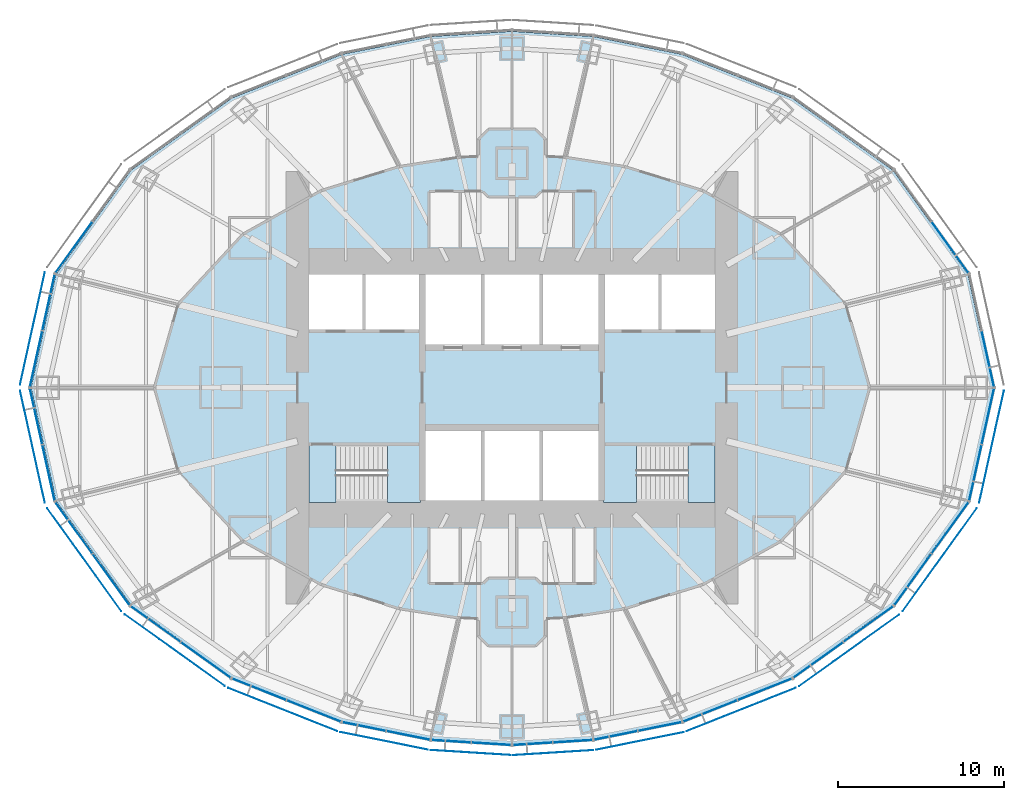
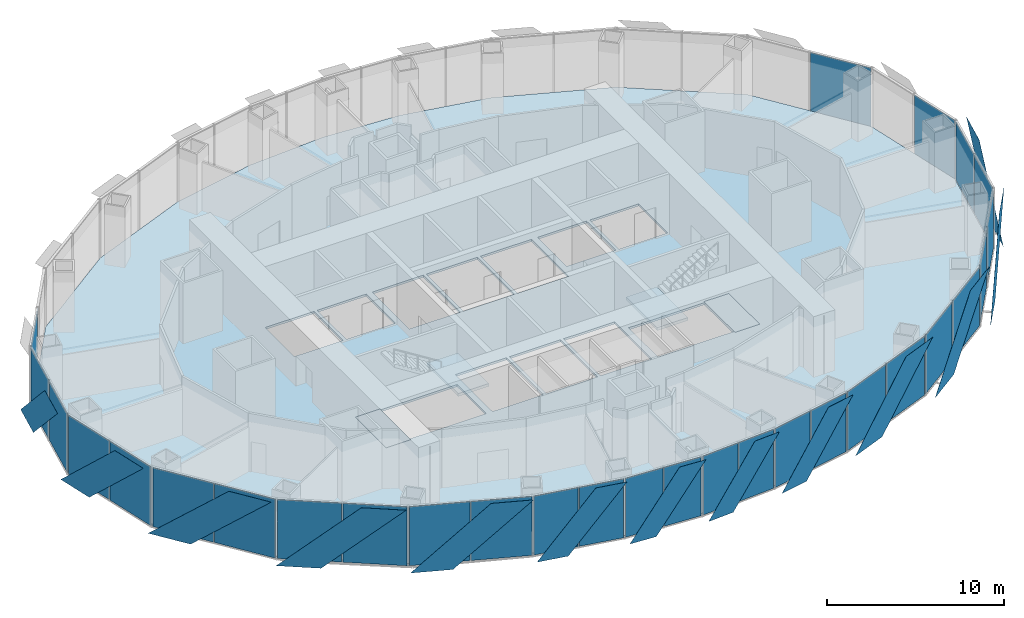
# One storey, part 9 of 17: 42 plates, 5 slabs, 18 elements without a shape of their own.
"""IFC4 building model written with IfcOpenShell, lengths in metres."""

from ifc_helpers import new_model, si_unit, direction, frame, origin, origin_2d, place, context, subcontext, project, spatial, polyline, rectangle, outline, extrude, material, layer, layer_set, type_object, element, aggregate, save


model = new_model("IFC4")

# Units and contexts
model_context = context("Model", 3, precision=1e-05, world=origin(), true_north=direction((0.0, 1.0)))
body_context = subcontext(model_context, "Body", "Model", "MODEL_VIEW")
ifc_project = project(units=[si_unit("LENGTHUNIT", "METRE"), si_unit("AREAUNIT", "SQUARE_METRE"), si_unit("VOLUMEUNIT", "CUBIC_METRE"), si_unit("PLANEANGLEUNIT", "RADIAN"), si_unit("MASSUNIT", "GRAM", prefix="KILO")], contexts=[model_context])

# Site, building, storey
site_placement = place(None, origin())
site = spatial("IfcSite", under=ifc_project, at=site_placement, CompositionType="ELEMENT")
building_placement = place(site_placement, origin())
building = spatial("IfcBuilding", under=site, at=building_placement, Name="Lantaw Convention Tower", CompositionType="ELEMENT")
storey_placement = place(building_placement, frame((0.0, 0.0, 163.60009765625)))
storey = spatial("IfcBuildingStorey", under=building, at=storey_placement, Name="L38", CompositionType="ELEMENT", Elevation=163.60009765625)

# Curtain wall, plate
ifc_material_1 = material(Name="Aluminium framed curtain wall", Category="aluminium")
curtain_wall_type = type_object("IfcCurtainWallType", Name="Office curtain wall low rise, pale aluminium", PredefinedType="USERDEFINED", material=ifc_material_1)
curtain_wall_1_placement = place(storey_placement, origin())
curtain_wall_1 = element("IfcCurtainWall", 1, at=curtain_wall_1_placement, inside=storey, type_object=curtain_wall_type, Name="Office curtain wall low rise, pale aluminium L38", ObjectType="UNITISED CURTAIN WALL", PredefinedType="USERDEFINED")
ifc_material_2 = material(Name="Clear insulating glass", Category="glass")
ifc_layer_1 = layer(ifc_material_2, 0.028076171875)
ifc_layer_set_1 = layer_set([ifc_layer_1], Name="CW-O1 panel 28")
plate_type_1 = type_object("IfcPlateType", Name="CW-O1 panel 28", PredefinedType="CURTAIN_PANEL", material=ifc_layer_set_1)
plate_1_placement = place(storey_placement, frame((28.618408203125, 1.729248046875, -0.0849609375), z_axis=(0.0, 0.0, 1.0), x_axis=(-0.215546166174, 0.9764936509, 0.0)))
plate_1 = element("IfcPlate", 2, at=plate_1_placement, type_object=plate_type_1, Name="CW-O1 panel 1.1", PredefinedType="CURTAIN_PANEL", context=body_context, shape_type="SweptSolid", body=[
    extrude(rectangle(XDim=3.41162109375, YDim=0.028076171875, at=origin_2d()), origin(), (0.0, 0.0, 1.0), 4.070068359375),
])
aggregate(curtain_wall_1, [plate_1])

curtain_wall_2_placement = place(storey_placement, origin())
curtain_wall_2 = element("IfcCurtainWall", 3, at=curtain_wall_2_placement, inside=storey, type_object=curtain_wall_type, Name="Office curtain wall low rise, pale aluminium L38", ObjectType="UNITISED CURTAIN WALL", PredefinedType="USERDEFINED")
plate_2_placement = place(storey_placement, frame((26.34814453125, 8.4345703125, -0.0849609375), z_axis=(0.0, 0.0, 1.0), x_axis=(-0.584512597221, 0.811384633629, 0.0)))
plate_2 = element("IfcPlate", 4, at=plate_2_placement, type_object=plate_type_1, Name="CW-O1 panel 1.1", PredefinedType="CURTAIN_PANEL", context=body_context, shape_type="SweptSolid", body=[
    extrude(rectangle(XDim=3.767333984375, YDim=0.028076171875, at=origin_2d()), origin(), (0.0, 0.0, 1.0), 4.070068359375),
])
aggregate(curtain_wall_2, [plate_2])

curtain_wall_3_placement = place(storey_placement, origin())
curtain_wall_3 = element("IfcCurtainWall", 5, at=curtain_wall_3_placement, inside=storey, type_object=curtain_wall_type, Name="Office curtain wall low rise, pale aluminium L38", ObjectType="UNITISED CURTAIN WALL", PredefinedType="USERDEFINED")
plate_3_placement = place(storey_placement, frame((-26.34814453125, 8.4345703125, -0.0849609375), z_axis=(0.0, 0.0, 1.0), x_axis=(-0.584512597221, -0.811384633629, 0.0)))
plate_3 = element("IfcPlate", 6, at=plate_3_placement, type_object=plate_type_1, Name="CW-O1 panel 2.1", PredefinedType="CURTAIN_PANEL", context=body_context, shape_type="SweptSolid", body=[
    extrude(rectangle(XDim=3.767333984375, YDim=0.028076171875, at=origin_2d()), origin(), (0.0, 0.0, 1.0), 4.070068359375),
])
aggregate(curtain_wall_3, [plate_3])

# Curtain wall, plates
curtain_wall_4_placement = place(storey_placement, origin())
curtain_wall_4 = element("IfcCurtainWall", 7, at=curtain_wall_4_placement, inside=storey, type_object=curtain_wall_type, Name="Office curtain wall low rise, pale aluminium L38", ObjectType="UNITISED CURTAIN WALL", PredefinedType="USERDEFINED")
plate_4_placement = place(storey_placement, frame((-27.868896484375, 5.1240234375, -0.0849609375), z_axis=(0.0, 0.0, 1.0), x_axis=(-0.215546166174, -0.9764936509, 0.0)))
plate_4 = element("IfcPlate", 8, at=plate_4_placement, type_object=plate_type_1, Name="CW-O1 panel 1.1", PredefinedType="CURTAIN_PANEL", context=body_context, shape_type="SweptSolid", body=[
    extrude(rectangle(XDim=3.41162109375, YDim=0.028076171875, at=origin_2d()), origin(), (0.0, 0.0, 1.0), 4.070068359375),
])
plate_5_placement = place(storey_placement, frame((-28.618408203125, 1.729248046875, -0.0849609375), z_axis=(0.0, 0.0, 1.0), x_axis=(-0.215546166174, -0.9764936509, 0.0)))
plate_5 = element("IfcPlate", 9, at=plate_5_placement, type_object=plate_type_1, Name="CW-O1 panel 2.1", PredefinedType="CURTAIN_PANEL", context=body_context, shape_type="SweptSolid", body=[
    extrude(rectangle(XDim=3.41162109375, YDim=0.028076171875, at=origin_2d()), origin(), (0.0, 0.0, 1.0), 4.070068359375),
])
aggregate(curtain_wall_4, [plate_4, plate_5])

curtain_wall_5_placement = place(storey_placement, origin())
curtain_wall_5 = element("IfcCurtainWall", 10, at=curtain_wall_5_placement, inside=storey, type_object=curtain_wall_type, Name="Office curtain wall low rise, pale aluminium L38", ObjectType="UNITISED CURTAIN WALL", PredefinedType="USERDEFINED")
plate_6_placement = place(storey_placement, frame((-28.618408203125, -1.729248046875, -0.0849609375), z_axis=(0.0, 0.0, 1.0), x_axis=(0.215546166174, -0.9764936509, 0.0)))
plate_6 = element("IfcPlate", 11, at=plate_6_placement, type_object=plate_type_1, Name="CW-O1 panel 1.1", PredefinedType="CURTAIN_PANEL", context=body_context, shape_type="SweptSolid", body=[
    extrude(rectangle(XDim=3.41162109375, YDim=0.028076171875, at=origin_2d()), origin(), (0.0, 0.0, 1.0), 4.070068359375),
])
plate_7_placement = place(storey_placement, frame((-27.868896484375, -5.1240234375, -0.0849609375), z_axis=(0.0, 0.0, 1.0), x_axis=(0.215546166174, -0.9764936509, 0.0)))
plate_7 = element("IfcPlate", 12, at=plate_7_placement, type_object=plate_type_1, Name="CW-O1 panel 2.1", PredefinedType="CURTAIN_PANEL", context=body_context, shape_type="SweptSolid", body=[
    extrude(rectangle(XDim=3.41162109375, YDim=0.028076171875, at=origin_2d()), origin(), (0.0, 0.0, 1.0), 4.070068359375),
])
aggregate(curtain_wall_5, [plate_6, plate_7])

curtain_wall_6_placement = place(storey_placement, origin())
curtain_wall_6 = element("IfcCurtainWall", 13, at=curtain_wall_6_placement, inside=storey, type_object=curtain_wall_type, Name="Office curtain wall low rise, pale aluminium L38", ObjectType="UNITISED CURTAIN WALL", PredefinedType="USERDEFINED")
plate_8_placement = place(storey_placement, frame((-26.34814453125, -8.4345703125, -0.0849609375), z_axis=(0.0, 0.0, 1.0), x_axis=(0.584512597221, -0.811384633629, 0.0)))
plate_8 = element("IfcPlate", 14, at=plate_8_placement, type_object=plate_type_1, Name="CW-O1 panel 1.1", PredefinedType="CURTAIN_PANEL", context=body_context, shape_type="SweptSolid", body=[
    extrude(rectangle(XDim=3.767333984375, YDim=0.028076171875, at=origin_2d()), origin(), (0.0, 0.0, 1.0), 4.070068359375),
])
plate_9_placement = place(storey_placement, frame((-24.108154296875, -11.5439453125, -0.0849609375), z_axis=(0.0, 0.0, 1.0), x_axis=(0.584512597221, -0.811384633629, 0.0)))
plate_9 = element("IfcPlate", 15, at=plate_9_placement, type_object=plate_type_1, Name="CW-O1 panel 2.1", PredefinedType="CURTAIN_PANEL", context=body_context, shape_type="SweptSolid", body=[
    extrude(rectangle(XDim=3.767333984375, YDim=0.028076171875, at=origin_2d()), origin(), (0.0, 0.0, 1.0), 4.070068359375),
])
aggregate(curtain_wall_6, [plate_8, plate_9])

curtain_wall_7_placement = place(storey_placement, origin())
curtain_wall_7 = element("IfcCurtainWall", 16, at=curtain_wall_7_placement, inside=storey, type_object=curtain_wall_type, Name="Office curtain wall low rise, pale aluminium L38", ObjectType="UNITISED CURTAIN WALL", PredefinedType="USERDEFINED")
plate_10_placement = place(storey_placement, frame((-21.43408203125, -14.2236328125, -0.0849609375), z_axis=(0.0, 0.0, 1.0), x_axis=(0.813208325995, -0.581972695693, 0.0)))
plate_10 = element("IfcPlate", 17, at=plate_10_placement, type_object=plate_type_1, Name="CW-O1 panel 1.1", PredefinedType="CURTAIN_PANEL", context=body_context, shape_type="SweptSolid", body=[
    extrude(rectangle(XDim=3.645263671875, YDim=0.028076171875, at=origin_2d()), origin(), (0.0, 0.0, 1.0), 4.070068359375),
])
plate_11_placement = place(storey_placement, frame((-18.416748046875, -16.383056640625, -0.0849609375), z_axis=(0.0, 0.0, 1.0), x_axis=(0.813208325995, -0.581972695693, 0.0)))
plate_11 = element("IfcPlate", 18, at=plate_11_placement, type_object=plate_type_1, Name="CW-O1 panel 2.1", PredefinedType="CURTAIN_PANEL", context=body_context, shape_type="SweptSolid", body=[
    extrude(rectangle(XDim=3.645263671875, YDim=0.028076171875, at=origin_2d()), origin(), (0.0, 0.0, 1.0), 4.070068359375),
])
aggregate(curtain_wall_7, [plate_10, plate_11])

curtain_wall_8_placement = place(storey_placement, origin())
curtain_wall_8 = element("IfcCurtainWall", 19, at=curtain_wall_8_placement, inside=storey, type_object=curtain_wall_type, Name="Office curtain wall low rise, pale aluminium L38", ObjectType="UNITISED CURTAIN WALL", PredefinedType="USERDEFINED")
plate_12_placement = place(storey_placement, frame((-15.208251953125, -18.145263671875, -0.0849609375), z_axis=(0.0, 0.0, 1.0), x_axis=(0.929547687544, -0.368701907483, 0.0)))
plate_12 = element("IfcPlate", 20, at=plate_12_placement, type_object=plate_type_1, Name="CW-O1 panel 1.1", PredefinedType="CURTAIN_PANEL", context=body_context, shape_type="SweptSolid", body=[
    extrude(rectangle(XDim=3.470703125, YDim=0.028076171875, at=origin_2d()), origin(), (0.0, 0.0, 1.0), 4.070068359375),
])
plate_13_placement = place(storey_placement, frame((-11.921630859375, -19.448974609375, -0.0849609375), z_axis=(0.0, 0.0, 1.0), x_axis=(0.929547687544, -0.368701907483, 0.0)))
plate_13 = element("IfcPlate", 21, at=plate_13_placement, type_object=plate_type_1, Name="CW-O1 panel 2.1", PredefinedType="CURTAIN_PANEL", context=body_context, shape_type="SweptSolid", body=[
    extrude(rectangle(XDim=3.470703125, YDim=0.028076171875, at=origin_2d()), origin(), (0.0, 0.0, 1.0), 4.070068359375),
])
aggregate(curtain_wall_8, [plate_12, plate_13])

curtain_wall_9_placement = place(storey_placement, origin())
curtain_wall_9 = element("IfcCurtainWall", 22, at=curtain_wall_9_placement, inside=storey, type_object=curtain_wall_type, Name="Office curtain wall low rise, pale aluminium L38", ObjectType="UNITISED CURTAIN WALL", PredefinedType="USERDEFINED")
plate_14_placement = place(storey_placement, frame((-8.893310546875, -20.3857421875, -0.0849609375), z_axis=(0.0, 0.0, 1.0), x_axis=(0.980301514912, -0.197506809659, 0.0)))
plate_14 = element("IfcPlate", 23, at=plate_14_placement, type_object=plate_type_1, Name="CW-O1 panel 1.1", PredefinedType="CURTAIN_PANEL", context=body_context, shape_type="SweptSolid", body=[
    extrude(rectangle(XDim=2.634033203125, YDim=0.028076171875, at=origin_2d()), origin(), (0.0, 0.0, 1.0), 4.070068359375),
])
plate_15_placement = place(storey_placement, frame((-6.247314453125, -20.9189453125, -0.0849609375), z_axis=(0.0, 0.0, 1.0), x_axis=(0.980301514912, -0.197506809659, 0.0)))
plate_15 = element("IfcPlate", 24, at=plate_15_placement, type_object=plate_type_1, Name="CW-O1 panel 2.1", PredefinedType="CURTAIN_PANEL", context=body_context, shape_type="SweptSolid", body=[
    extrude(rectangle(XDim=2.634033203125, YDim=0.028076171875, at=origin_2d()), origin(), (0.0, 0.0, 1.0), 4.070068359375),
])
aggregate(curtain_wall_9, [plate_14, plate_15])

curtain_wall_10_placement = place(storey_placement, origin())
curtain_wall_10 = element("IfcCurtainWall", 25, at=curtain_wall_10_placement, inside=storey, type_object=curtain_wall_type, Name="Office curtain wall low rise, pale aluminium L38", ObjectType="UNITISED CURTAIN WALL", PredefinedType="USERDEFINED")
plate_16_placement = place(storey_placement, frame((-3.653076171875, -21.269775390625, -0.0849609375), z_axis=(0.0, 0.0, 1.0), x_axis=(0.998022035978, -0.062865059466, 0.0)))
plate_16 = element("IfcPlate", 26, at=plate_16_placement, type_object=plate_type_1, Name="CW-O1 panel 1.1", PredefinedType="CURTAIN_PANEL", context=body_context, shape_type="SweptSolid", body=[
    extrude(rectangle(XDim=2.353515625, YDim=0.028076171875, at=origin_2d()), origin(), (0.0, 0.0, 1.0), 4.070068359375),
])
plate_17_placement = place(storey_placement, frame((-1.2392578125, -21.421875, -0.0849609375), z_axis=(0.0, 0.0, 1.0), x_axis=(0.998022035978, -0.062865059466, 0.0)))
plate_17 = element("IfcPlate", 27, at=plate_17_placement, type_object=plate_type_1, Name="CW-O1 panel 2.1", PredefinedType="CURTAIN_PANEL", context=body_context, shape_type="SweptSolid", body=[
    extrude(rectangle(XDim=2.353515625, YDim=0.028076171875, at=origin_2d()), origin(), (0.0, 0.0, 1.0), 4.070068359375),
])
aggregate(curtain_wall_10, [plate_16, plate_17])

curtain_wall_11_placement = place(storey_placement, origin())
curtain_wall_11 = element("IfcCurtainWall", 28, at=curtain_wall_11_placement, inside=storey, type_object=curtain_wall_type, Name="Office curtain wall low rise, pale aluminium L38", ObjectType="UNITISED CURTAIN WALL", PredefinedType="USERDEFINED")
plate_18_placement = place(storey_placement, frame((1.2392578125, -21.421875, -0.0849609375), z_axis=(0.0, 0.0, 1.0), x_axis=(0.998022035978, 0.062865059466, 0.0)))
plate_18 = element("IfcPlate", 29, at=plate_18_placement, type_object=plate_type_1, Name="CW-O1 panel 1.1", PredefinedType="CURTAIN_PANEL", context=body_context, shape_type="SweptSolid", body=[
    extrude(rectangle(XDim=2.353515625, YDim=0.028076171875, at=origin_2d()), origin(), (0.0, 0.0, 1.0), 4.070068359375),
])
plate_19_placement = place(storey_placement, frame((3.653076171875, -21.269775390625, -0.0849609375), z_axis=(0.0, 0.0, 1.0), x_axis=(0.998022035978, 0.062865059466, 0.0)))
plate_19 = element("IfcPlate", 30, at=plate_19_placement, type_object=plate_type_1, Name="CW-O1 panel 2.1", PredefinedType="CURTAIN_PANEL", context=body_context, shape_type="SweptSolid", body=[
    extrude(rectangle(XDim=2.353515625, YDim=0.028076171875, at=origin_2d()), origin(), (0.0, 0.0, 1.0), 4.070068359375),
])
aggregate(curtain_wall_11, [plate_18, plate_19])

curtain_wall_12_placement = place(storey_placement, origin())
curtain_wall_12 = element("IfcCurtainWall", 31, at=curtain_wall_12_placement, inside=storey, type_object=curtain_wall_type, Name="Office curtain wall low rise, pale aluminium L38", ObjectType="UNITISED CURTAIN WALL", PredefinedType="USERDEFINED")
plate_20_placement = place(storey_placement, frame((6.247314453125, -20.9189453125, -0.0849609375), z_axis=(0.0, 0.0, 1.0), x_axis=(0.980301514912, 0.197506809659, 0.0)))
plate_20 = element("IfcPlate", 32, at=plate_20_placement, type_object=plate_type_1, Name="CW-O1 panel 1.1", PredefinedType="CURTAIN_PANEL", context=body_context, shape_type="SweptSolid", body=[
    extrude(rectangle(XDim=2.634033203125, YDim=0.028076171875, at=origin_2d()), origin(), (0.0, 0.0, 1.0), 4.070068359375),
])
plate_21_placement = place(storey_placement, frame((8.893310546875, -20.3857421875, -0.0849609375), z_axis=(0.0, 0.0, 1.0), x_axis=(0.980301514912, 0.197506809659, 0.0)))
plate_21 = element("IfcPlate", 33, at=plate_21_placement, type_object=plate_type_1, Name="CW-O1 panel 2.1", PredefinedType="CURTAIN_PANEL", context=body_context, shape_type="SweptSolid", body=[
    extrude(rectangle(XDim=2.634033203125, YDim=0.028076171875, at=origin_2d()), origin(), (0.0, 0.0, 1.0), 4.070068359375),
])
aggregate(curtain_wall_12, [plate_20, plate_21])

curtain_wall_13_placement = place(storey_placement, origin())
curtain_wall_13 = element("IfcCurtainWall", 34, at=curtain_wall_13_placement, inside=storey, type_object=curtain_wall_type, Name="Office curtain wall low rise, pale aluminium L38", ObjectType="UNITISED CURTAIN WALL", PredefinedType="USERDEFINED")
plate_22_placement = place(storey_placement, frame((11.921630859375, -19.448974609375, -0.0849609375), z_axis=(0.0, 0.0, 1.0), x_axis=(0.929547687544, 0.368701907483, 0.0)))
plate_22 = element("IfcPlate", 35, at=plate_22_placement, type_object=plate_type_1, Name="CW-O1 panel 1.1", PredefinedType="CURTAIN_PANEL", context=body_context, shape_type="SweptSolid", body=[
    extrude(rectangle(XDim=3.470703125, YDim=0.028076171875, at=origin_2d()), origin(), (0.0, 0.0, 1.0), 4.070068359375),
])
plate_23_placement = place(storey_placement, frame((15.208251953125, -18.145263671875, -0.0849609375), z_axis=(0.0, 0.0, 1.0), x_axis=(0.929547687544, 0.368701907483, 0.0)))
plate_23 = element("IfcPlate", 36, at=plate_23_placement, type_object=plate_type_1, Name="CW-O1 panel 2.1", PredefinedType="CURTAIN_PANEL", context=body_context, shape_type="SweptSolid", body=[
    extrude(rectangle(XDim=3.470703125, YDim=0.028076171875, at=origin_2d()), origin(), (0.0, 0.0, 1.0), 4.070068359375),
])
aggregate(curtain_wall_13, [plate_22, plate_23])

curtain_wall_14_placement = place(storey_placement, origin())
curtain_wall_14 = element("IfcCurtainWall", 37, at=curtain_wall_14_placement, inside=storey, type_object=curtain_wall_type, Name="Office curtain wall low rise, pale aluminium L38", ObjectType="UNITISED CURTAIN WALL", PredefinedType="USERDEFINED")
plate_24_placement = place(storey_placement, frame((18.416748046875, -16.383056640625, -0.0849609375), z_axis=(0.0, 0.0, 1.0), x_axis=(0.813208325995, 0.581972695693, 0.0)))
plate_24 = element("IfcPlate", 38, at=plate_24_placement, type_object=plate_type_1, Name="CW-O1 panel 1.1", PredefinedType="CURTAIN_PANEL", context=body_context, shape_type="SweptSolid", body=[
    extrude(rectangle(XDim=3.645263671875, YDim=0.028076171875, at=origin_2d()), origin(), (0.0, 0.0, 1.0), 4.070068359375),
])
plate_25_placement = place(storey_placement, frame((21.43408203125, -14.2236328125, -0.0849609375), z_axis=(0.0, 0.0, 1.0), x_axis=(0.813208325995, 0.581972695693, 0.0)))
plate_25 = element("IfcPlate", 39, at=plate_25_placement, type_object=plate_type_1, Name="CW-O1 panel 2.1", PredefinedType="CURTAIN_PANEL", context=body_context, shape_type="SweptSolid", body=[
    extrude(rectangle(XDim=3.645263671875, YDim=0.028076171875, at=origin_2d()), origin(), (0.0, 0.0, 1.0), 4.070068359375),
])
aggregate(curtain_wall_14, [plate_24, plate_25])

curtain_wall_15_placement = place(storey_placement, origin())
curtain_wall_15 = element("IfcCurtainWall", 40, at=curtain_wall_15_placement, inside=storey, type_object=curtain_wall_type, Name="Office curtain wall low rise, pale aluminium L38", ObjectType="UNITISED CURTAIN WALL", PredefinedType="USERDEFINED")
plate_26_placement = place(storey_placement, frame((24.108154296875, -11.5439453125, -0.0849609375), z_axis=(0.0, 0.0, 1.0), x_axis=(0.584512597221, 0.811384633629, 0.0)))
plate_26 = element("IfcPlate", 41, at=plate_26_placement, type_object=plate_type_1, Name="CW-O1 panel 1.1", PredefinedType="CURTAIN_PANEL", context=body_context, shape_type="SweptSolid", body=[
    extrude(rectangle(XDim=3.767333984375, YDim=0.028076171875, at=origin_2d()), origin(), (0.0, 0.0, 1.0), 4.070068359375),
])
plate_27_placement = place(storey_placement, frame((26.34814453125, -8.4345703125, -0.0849609375), z_axis=(0.0, 0.0, 1.0), x_axis=(0.584512597221, 0.811384633629, 0.0)))
plate_27 = element("IfcPlate", 42, at=plate_27_placement, type_object=plate_type_1, Name="CW-O1 panel 2.1", PredefinedType="CURTAIN_PANEL", context=body_context, shape_type="SweptSolid", body=[
    extrude(rectangle(XDim=3.767333984375, YDim=0.028076171875, at=origin_2d()), origin(), (0.0, 0.0, 1.0), 4.070068359375),
])
aggregate(curtain_wall_15, [plate_26, plate_27])

curtain_wall_16_placement = place(storey_placement, origin())
curtain_wall_16 = element("IfcCurtainWall", 43, at=curtain_wall_16_placement, inside=storey, type_object=curtain_wall_type, Name="Office curtain wall low rise, pale aluminium L38", ObjectType="UNITISED CURTAIN WALL", PredefinedType="USERDEFINED")
plate_28_placement = place(storey_placement, frame((27.868896484375, -5.1240234375, -0.0849609375), z_axis=(0.0, 0.0, 1.0), x_axis=(0.215546166174, 0.9764936509, 0.0)))
plate_28 = element("IfcPlate", 44, at=plate_28_placement, type_object=plate_type_1, Name="CW-O1 panel 1.1", PredefinedType="CURTAIN_PANEL", context=body_context, shape_type="SweptSolid", body=[
    extrude(rectangle(XDim=3.41162109375, YDim=0.028076171875, at=origin_2d()), origin(), (0.0, 0.0, 1.0), 4.070068359375),
])
plate_29_placement = place(storey_placement, frame((28.618408203125, -1.729248046875, -0.0849609375), z_axis=(0.0, 0.0, 1.0), x_axis=(0.215546166174, 0.9764936509, 0.0)))
plate_29 = element("IfcPlate", 45, at=plate_29_placement, type_object=plate_type_1, Name="CW-O1 panel 2.1", PredefinedType="CURTAIN_PANEL", context=body_context, shape_type="SweptSolid", body=[
    extrude(rectangle(XDim=3.41162109375, YDim=0.028076171875, at=origin_2d()), origin(), (0.0, 0.0, 1.0), 4.070068359375),
])
aggregate(curtain_wall_16, [plate_28, plate_29])

# Slab
ifc_material_3 = material(Name="Concrete C35/45", Category="concrete")
ifc_layer_2 = layer(ifc_material_3, 0.14990234375)
ifc_layer_set_2 = layer_set([ifc_layer_2], Name="Floor slab 150")
slab_type_1 = type_object("IfcSlabType", Name="Floor slab 150", PredefinedType="FLOOR", material=ifc_layer_set_2)
slab_1_placement = place(storey_placement, frame((0.0, 0.0, -0.150146484375)))
element("IfcSlab", 46, at=slab_1_placement, inside=storey, type_object=slab_type_1, Name="L38 floor slab", PredefinedType="FLOOR", context=body_context, shape_type="SweptSolid", body=[
    extrude(outline(polyline([(27.417236328125, -6.822021484375), (28.923095703125, 0.0), (27.417236328125, 6.822021484375), (22.915283203125, 13.0712890625), (16.845458984375, 17.415283203125), (10.2265625, 20.04052734375), (4.8828125, 21.1171875), (0.0, 21.4248046875), (-4.8828125, 21.1171875), (-10.2265625, 20.04052734375), (-16.845458984375, 17.415283203125), (-22.915283203125, 13.0712890625), (-27.417236328125, 6.822021484375), (-28.923095703125, 0.0), (-27.417236328125, -6.822021484375), (-22.915283203125, -13.0712890625), (-16.845458984375, -17.415283203125), (-10.2265625, -20.04052734375), (-4.8828125, -21.1171875), (0.0, -21.4248046875), (4.8828125, -21.1171875), (10.2265625, -20.04052734375), (16.845458984375, -17.415283203125), (22.915283203125, -13.0712890625), (27.417236328125, -6.822021484375)]), holes=[polyline([(-5.60009765625, -3.5), (-12.199951171875, -3.5), (-12.199951171875, -6.800048828125), (-5.60009765625, -6.800048828125), (-5.60009765625, -3.5)]), polyline([(-1.86669921875, -6.800048828125), (-1.86669921875, -2.60009765625), (-5.199951171875, -2.60009765625), (-5.199951171875, -6.800048828125), (-1.86669921875, -6.800048828125)]), polyline([(-1.86669921875, 2.60009765625), (-1.86669921875, 6.800048828125), (-5.199951171875, 6.800048828125), (-5.199951171875, 2.60009765625), (-1.86669921875, 2.60009765625)]), polyline([(1.666748046875, 6.800048828125), (-1.666748046875, 6.800048828125), (-1.666748046875, 2.60009765625), (1.666748046875, 2.60009765625), (1.666748046875, 6.800048828125)]), polyline([(-9.0, 3.5), (-9.0, 6.800048828125), (-12.199951171875, 6.800048828125), (-12.199951171875, 3.5), (-9.0, 3.5)]), polyline([(-5.60009765625, 3.5), (-5.60009765625, 6.800048828125), (-8.800048828125, 6.800048828125), (-8.800048828125, 3.5), (-5.60009765625, 3.5)]), polyline([(12.199951171875, -3.5), (5.60009765625, -3.5), (5.60009765625, -6.800048828125), (12.199951171875, -6.800048828125), (12.199951171875, -3.5)]), polyline([(1.666748046875, -6.800048828125), (1.666748046875, -2.60009765625), (-1.666748046875, -2.60009765625), (-1.666748046875, -6.800048828125), (1.666748046875, -6.800048828125)]), polyline([(5.199951171875, -6.800048828125), (5.199951171875, -2.60009765625), (1.86669921875, -2.60009765625), (1.86669921875, -6.800048828125), (5.199951171875, -6.800048828125)]), polyline([(5.199951171875, 6.800048828125), (1.86669921875, 6.800048828125), (1.86669921875, 2.60009765625), (5.199951171875, 2.60009765625), (5.199951171875, 6.800048828125)]), polyline([(8.800048828125, 3.5), (8.800048828125, 6.800048828125), (5.60009765625, 6.800048828125), (5.60009765625, 3.5), (8.800048828125, 3.5)]), polyline([(12.199951171875, 3.5), (12.199951171875, 6.800048828125), (9.0, 6.800048828125), (9.0, 3.5), (12.199951171875, 3.5)])]), origin(), (0.0, 0.0, 1.0), 0.150146484375),
])

# Plates
ifc_material_4 = material(Name="Perforated aluminium sheet, pale silver finish", Category="aluminium")
ifc_layer_3 = layer(ifc_material_4, 0.006103515625)
ifc_layer_set_3 = layer_set([ifc_layer_3], Name="Perforated aluminium solar SCREEN panel")
plate_type_2 = type_object("IfcPlateType", Name="Perforated aluminium solar SCREEN panel", PredefinedType="SHEET", material=ifc_layer_set_3)
plate_30_placement = place(storey_placement, frame((-28.08984375, 6.93505859375, -0.175048828125), z_axis=(0.976497812463, -0.215527309509, 3.3329045e-05), x_axis=(-0.215527309629, -0.976497813005, -1.665e-09)))
element("IfcPlate", 47, at=plate_30_placement, inside=storey, type_object=plate_type_2, Name="Solar SCREEN panel", PredefinedType="SHEET", context=body_context, shape_type="SweptSolid", body=[
    extrude(outline(polyline([(0.0, 0.0), (2.386131748388921, -3.3881317890172014e-21), (6.918240176095255, -4.339843763929156), (4.532055808734257, -4.33984375598333), (0.0, 0.0)])), origin(), (0.0, 0.0, -1.0), 0.006103515625),
])
plate_31_placement = place(storey_placement, frame((-29.5810546875, -0.179443359375, -0.175048828125), z_axis=(-0.976497812463, -0.215527309509, 3.3329045e-05), x_axis=(0.215527309629, -0.976497813005, 1.665e-09)))
element("IfcPlate", 48, at=plate_31_placement, inside=storey, type_object=plate_type_2, Name="Solar SCREEN panel", PredefinedType="SHEET", context=body_context, shape_type="SweptSolid", body=[
    extrude(outline(polyline([(0.0, 0.0), (2.3861843673609986, 0.0), (6.918240190546627, 4.339843740891906), (4.532108442157707, 4.339843748837556), (0.0, 0.0)])), origin(), (0.0, 0.0, -1.0), 0.006103515625),
])
plate_32_placement = place(storey_placement, frame((-27.94970703125, -7.248046875, -0.175048828125), z_axis=(-0.81139512159, -0.584498037099, 3.5888803e-05), x_axis=(0.584498037475, -0.811395122112, -9.74e-10)))
element("IfcPlate", 49, at=plate_32_placement, inside=storey, type_object=plate_type_2, Name="Solar SCREEN panel", PredefinedType="SHEET", context=body_context, shape_type="SweptSolid", body=[
    extrude(outline(polyline([(0.0, 0.0), (2.628222178575422, -6.776263578034403e-21), (7.629778257969264, 4.339843760228519), (5.001754173906077, 4.339843755107391), (0.0, 0.0)])), origin(), (0.0, 0.0, -1.0), 0.006103515625),
])
plate_33_placement = place(storey_placement, frame((-23.281005859375, -13.64697265625, -0.175048828125), z_axis=(-0.582000183937, -0.813188653244, 1.1537794e-05), x_axis=(0.813188653298, -0.582000183975, 0.0)))
element("IfcPlate", 50, at=plate_33_placement, inside=storey, type_object=plate_type_2, Name="Solar SCREEN panel", PredefinedType="SHEET", context=body_context, shape_type="SweptSolid", body=[
    extrude(outline(polyline([(0.0, 0.0), (2.5450183911586484, 1.6940658945086007e-21), (7.385531276904658, 4.339843750288861), (4.840512885746009, 4.339843750288861), (0.0, 0.0)])), origin(), (0.0, 0.0, -1.0), 0.006103515625),
])
plate_34_placement = place(storey_placement, frame((-17.05859375, -18.063232421875, -0.175048828125), z_axis=(0.368708915367, 0.929544907797, 1.0867661e-05), x_axis=(0.929544907851, -0.368708915389, 7.1e-10)))
element("IfcPlate", 51, at=plate_34_placement, inside=storey, type_object=plate_type_2, Name="Solar SCREEN panel", PredefinedType="SHEET", context=body_context, shape_type="SweptSolid", body=[
    extrude(outline(polyline([(0.0, 0.0), (2.4263803793049097, 0.0), (7.036549629566982, -4.339843745261612), (4.61003232741235, -4.339843748706285), (0.0, 0.0)])), origin(), (0.0, 0.0, -1.0), 0.006103515625),
])
plate_35_placement = place(storey_placement, frame((-10.318603515625, -20.716796875, -0.175048828125), z_axis=(-0.197556725442, -0.980291455983, 3.9485719e-05), x_axis=(0.980291456747, -0.197556725596, 0.0)))
element("IfcPlate", 52, at=plate_35_placement, inside=storey, type_object=plate_type_2, Name="Solar SCREEN panel", PredefinedType="SHEET", context=body_context, shape_type="SweptSolid", body=[
    extrude(outline(polyline([(0.0, 0.0), (1.8574075788555457, 1.6940658945086007e-21), (5.362987026845185, 4.339843753383173), (3.505579447989639, 4.339843753383173), (0.0, 0.0)])), origin(), (0.0, 0.0, -1.0), 0.006103515625),
])
plate_36_placement = place(storey_placement, frame((-4.880615234375, -21.7998046875, -0.175048828125), z_axis=(-0.062838799866, -0.998023689713, 1.755158e-06), x_axis=(0.998023689715, -0.062838799866, -8e-12)))
element("IfcPlate", 53, at=plate_36_placement, inside=storey, type_object=plate_type_2, Name="Solar SCREEN panel", PredefinedType="SHEET", context=body_context, shape_type="SweptSolid", body=[
    extrude(outline(polyline([(0.0, 0.0), (1.6666243269452135, 2.6469779601696886e-23), (4.802214797186689, 4.339843750045478), (3.135346812114104, 4.33984375001855), (0.0, 0.0)])), origin(), (0.0, 0.0, -1.0), 0.006103515625),
])
plate_37_placement = place(storey_placement, frame((0.087890625, -22.1015625, -0.175048828125), z_axis=(-0.062838799866, 0.998023689713, 1.755158e-06), x_axis=(0.998023689715, 0.062838799866, 8e-12)))
element("IfcPlate", 54, at=plate_37_placement, inside=storey, type_object=plate_type_2, Name="Solar SCREEN panel", PredefinedType="SHEET", context=body_context, shape_type="SweptSolid", body=[
    extrude(outline(polyline([(0.0, 0.0), (1.6668679850725854, -5.293955920339377e-23), (4.802214797256801, -4.339843749967897), (3.1355904703115876, -4.339843749994822), (0.0, 0.0)])), origin(), (0.0, 0.0, -1.0), 0.006103515625),
])
plate_38_placement = place(storey_placement, frame((5.061279296875, -21.776123046875, -0.175048828125), z_axis=(-0.197556725442, 0.980291455983, 3.9485719e-05), x_axis=(0.980291456747, 0.197556725596, 0.0)))
element("IfcPlate", 55, at=plate_38_placement, inside=storey, type_object=plate_type_2, Name="Solar SCREEN panel", PredefinedType="SHEET", context=body_context, shape_type="SweptSolid", body=[
    extrude(outline(polyline([(0.0, 0.0), (1.8574075788555457, -1.6940658945086007e-21), (5.362987026845185, -4.339843753383173), (3.505579447989639, -4.339843753383173), (0.0, 0.0)])), origin(), (0.0, 0.0, -1.0), 0.006103515625),
])
plate_39_placement = place(storey_placement, frame((10.517822265625, -20.65771484375, -0.175048828125), z_axis=(0.368708915367, -0.929544907797, 1.0867661e-05), x_axis=(0.929544907851, 0.368708915389, -7.1e-10)))
element("IfcPlate", 56, at=plate_39_placement, inside=storey, type_object=plate_type_2, Name="Solar SCREEN panel", PredefinedType="SHEET", context=body_context, shape_type="SweptSolid", body=[
    extrude(outline(polyline([(0.0, 0.0), (2.426517302154632, 1.6940658945086007e-21), (7.036549623406159, 4.339843755250667), (4.610169244101249, 4.339843751806188), (0.0, 0.0)])), origin(), (0.0, 0.0, -1.0), 0.006103515625),
])
plate_40_placement = place(storey_placement, frame((17.275146484375, -17.9453125, -0.175048828125), z_axis=(-0.582000183937, 0.813188653244, 1.1537794e-05), x_axis=(0.813188653298, 0.582000183975, 0.0)))
element("IfcPlate", 57, at=plate_40_placement, inside=storey, type_object=plate_type_2, Name="Solar SCREEN panel", PredefinedType="SHEET", context=body_context, shape_type="SweptSolid", body=[
    extrude(outline(polyline([(0.0, 0.0), (2.5450183911586484, -1.6940658945086007e-21), (7.385531276904658, -4.339843750288861), (4.840512885746009, -4.339843750288861), (0.0, 0.0)])), origin(), (0.0, 0.0, -1.0), 0.006103515625),
])
plate_41_placement = place(storey_placement, frame((23.489990234375, -13.438720703125, -0.175048828125), z_axis=(-0.81139512159, 0.584498037099, 3.5888803e-05), x_axis=(0.584498037475, 0.811395122112, 9.74e-10)))
element("IfcPlate", 58, at=plate_41_placement, inside=storey, type_object=plate_type_2, Name="Solar SCREEN panel", PredefinedType="SHEET", context=body_context, shape_type="SweptSolid", body=[
    extrude(outline(polyline([(0.0, 0.0), (2.6280240840631874, 6.776263578034403e-21), (7.62977826642615, -4.339843745360666), (5.001556087850728, -4.3398437504821805), (0.0, 0.0)])), origin(), (0.0, 0.0, -1.0), 0.006103515625),
])
plate_42_placement = place(storey_placement, frame((28.08984375, -6.93505859375, -0.175048828125), z_axis=(-0.976497812463, 0.215527309509, 3.3329045e-05), x_axis=(0.215527309629, 0.976497813005, -1.665e-09)))
element("IfcPlate", 59, at=plate_42_placement, inside=storey, type_object=plate_type_2, Name="Solar SCREEN panel", PredefinedType="SHEET", context=body_context, shape_type="SweptSolid", body=[
    extrude(outline(polyline([(0.0, 0.0), (2.386131748388921, -3.3881317890172014e-21), (6.918240176095255, -4.339843763929156), (4.532055808734257, -4.33984375598333), (0.0, 0.0)])), origin(), (0.0, 0.0, -1.0), 0.006103515625),
])

# Stair, slabs
stair_type = type_object("IfcStairType", Name="Exit stair 1500 riser 175 in 2 flights", PredefinedType="HALF_TURN_STAIR", material=ifc_material_3)
stair_1_placement = place(storey_placement, origin())
stair_1 = element("IfcStair", 60, at=stair_1_placement, inside=storey, type_object=stair_type, Name="Exit stair S1 L38", PredefinedType="HALF_TURN_STAIR")
ifc_layer_4 = layer(ifc_material_3, 0.199951171875)
ifc_layer_set_4 = layer_set([ifc_layer_4], Name="Stair landing 200")
slab_type_2 = type_object("IfcSlabType", Name="Stair landing 200", PredefinedType="LANDING", material=ifc_layer_set_4)
slab_2_placement = place(storey_placement, frame((0.0, 0.0, -0.2001953125)))
slab_2 = element("IfcSlab", 61, at=slab_2_placement, type_object=slab_type_2, Name="S1 landing 1", PredefinedType="LANDING", context=body_context, shape_type="SweptSolid", body=[
    extrude(outline(polyline([(-12.199951171875, -6.89990234375), (-10.580078125, -6.89990234375), (-10.580078125, -3.39990234375), (-12.199951171875, -3.39990234375), (-12.199951171875, -6.89990234375)])), origin(), (0.0, 0.0, 1.0), 0.2001953125),
])
slab_3_placement = place(storey_placement, frame((0.0, 0.0, 1.89990234375)))
slab_3 = element("IfcSlab", 62, at=slab_3_placement, type_object=slab_type_2, Name="S1 landing 2", PredefinedType="LANDING", context=body_context, shape_type="SweptSolid", body=[
    extrude(outline(polyline([(-7.5, -6.89990234375), (-5.5, -6.89990234375), (-5.5, -3.39990234375), (-7.5, -3.39990234375), (-7.5, -6.89990234375)])), origin(), (0.0, 0.0, 1.0), 0.199951171875),
])
aggregate(stair_1, [slab_2, slab_3])

stair_2_placement = place(storey_placement, origin())
stair_2 = element("IfcStair", 63, at=stair_2_placement, inside=storey, type_object=stair_type, Name="Exit stair S2 L38", PredefinedType="HALF_TURN_STAIR")
slab_4_placement = place(storey_placement, frame((0.0, 0.0, -0.2001953125)))
slab_4 = element("IfcSlab", 64, at=slab_4_placement, type_object=slab_type_2, Name="S2 landing 1", PredefinedType="LANDING", context=body_context, shape_type="SweptSolid", body=[
    extrude(outline(polyline([(10.580078125, -6.89990234375), (12.199951171875, -6.89990234375), (12.199951171875, -3.39990234375), (10.580078125, -3.39990234375), (10.580078125, -6.89990234375)])), origin(), (0.0, 0.0, 1.0), 0.2001953125),
])
slab_5_placement = place(storey_placement, frame((0.0, 0.0, 1.89990234375)))
slab_5 = element("IfcSlab", 65, at=slab_5_placement, type_object=slab_type_2, Name="S2 landing 2", PredefinedType="LANDING", context=body_context, shape_type="SweptSolid", body=[
    extrude(outline(polyline([(5.5, -6.89990234375), (7.5, -6.89990234375), (7.5, -3.39990234375), (5.5, -3.39990234375), (5.5, -6.89990234375)])), origin(), (0.0, 0.0, 1.0), 0.199951171875),
])
aggregate(stair_2, [slab_4, slab_5])

save(model, "model.ifc")
